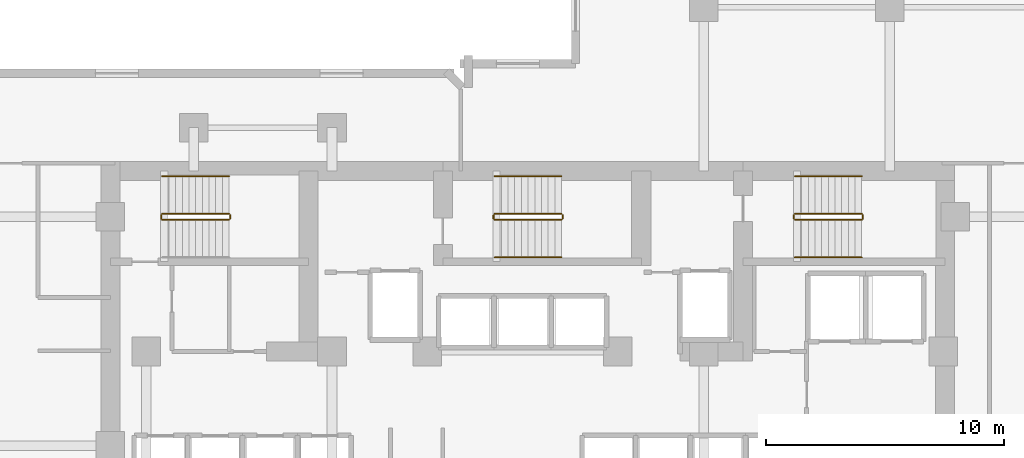
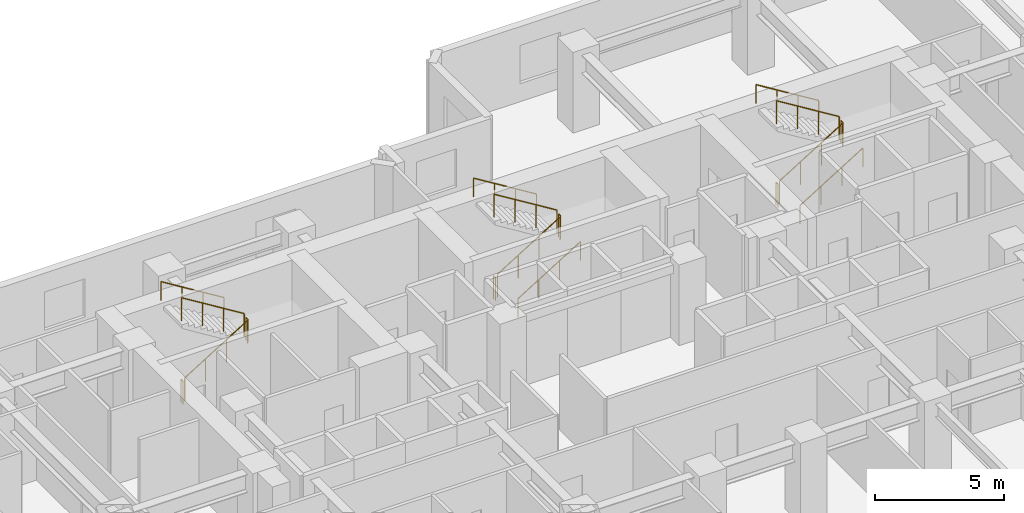
# One storey, part 13 of 13: 17 railings.
"""IFC4 building model written with IfcOpenShell, lengths in metres."""

from ifc_helpers import new_model, si_unit, direction, frame, origin, origin_2d, place, context, subcontext, project, spatial, circle, extrude, material, type_object, element, save


model = new_model("IFC4")

# Units and contexts
model_context = context("Model", 3, precision=1e-05, world=origin(), true_north=direction((0.0, 1.0)))
body_context = subcontext(model_context, "Body", "Model", "MODEL_VIEW")
ifc_project = project(units=[si_unit("LENGTHUNIT", "METRE"), si_unit("AREAUNIT", "SQUARE_METRE"), si_unit("VOLUMEUNIT", "CUBIC_METRE"), si_unit("PLANEANGLEUNIT", "RADIAN"), si_unit("MASSUNIT", "GRAM", prefix="KILO")], contexts=[model_context])

# Site, building, storey
site_placement = place(None, origin())
site = spatial("IfcSite", under=ifc_project, at=site_placement, CompositionType="ELEMENT")
building_placement = place(site_placement, origin())
building = spatial("IfcBuilding", under=site, at=building_placement, Name="Kestravale Grand Hotel", CompositionType="ELEMENT")
storey_placement = place(building_placement, frame((0.0, 0.0, 88.0)))
storey = spatial("IfcBuildingStorey", under=building, at=storey_placement, Name="L21", CompositionType="ELEMENT", Elevation=88.0)

# Railings
ifc_material_1 = material(Name="Painted tubular steel stair well guard", Category="steel")
railing_type_1 = type_object("IfcRailingType", Name="RL-ST-GRD1100", PredefinedType="GUARDRAIL", material=ifc_material_1)
railing_1_placement = place(storey_placement, frame((24.080078125, 38.280029296875, 0.172607421875)))
element("IfcRailing", 1, at=railing_1_placement, inside=storey, type_object=railing_type_1, Name="L21 ST-1 stair guard 1", PredefinedType="GUARDRAIL", context=body_context, shape_type="SweptSolid", body=[
    extrude(circle(Radius=0.02392578125, at=origin_2d()), frame((0.0, 0.0, 1.076171875), z_axis=(0.851069175582, 0.0, 0.525053576669), x_axis=(0.0, 1.0, 0.0)), (0.0, 0.0, 1.0), 3.289794921875),
    extrude(circle(Radius=0.02099609375, at=origin_2d()), origin(), (0.0, 0.0, 1.0), 1.052001953125),
    extrude(circle(Radius=0.02099609375, at=origin_2d()), frame((0.933349609375, 0.0, 0.57568359375)), (0.0, 0.0, 1.0), 1.052001953125),
    extrude(circle(Radius=0.02099609375, at=origin_2d()), frame((1.866455078125, 0.0, 1.151611328125)), (0.0, 0.0, 1.0), 1.052001953125),
    extrude(circle(Radius=0.02099609375, at=origin_2d()), frame((2.7998046875, 0.0, 1.727294921875)), (0.0, 0.0, 1.0), 1.052001953125),
])
railing_2_placement = place(storey_placement, frame((26.929931640625, 38.330078125, 1.89990234375)))
element("IfcRailing", 2, at=railing_2_placement, inside=storey, type_object=railing_type_1, Name="L21 ST-1 stair guard 2", PredefinedType="GUARDRAIL", context=body_context, shape_type="SweptSolid", body=[
    extrude(circle(Radius=0.02392578125, at=origin_2d()), frame((0.0, 0.0, 1.076171875), z_axis=(0.0, 1.0, 0.0), x_axis=(-1.0, 0.0, 0.0)), (0.0, 0.0, 1.0), 0.14990234375),
    extrude(circle(Radius=0.02099609375, at=origin_2d()), origin(), (0.0, 0.0, 1.0), 1.052001953125),
    extrude(circle(Radius=0.02099609375, at=origin_2d()), frame((0.0, 0.14990234375, 0.0)), (0.0, 0.0, 1.0), 1.052001953125),
])
railing_3_placement = place(storey_placement, frame((26.8798828125, 38.530029296875, 2.07275390625)))
element("IfcRailing", 3, at=railing_3_placement, inside=storey, type_object=railing_type_1, Name="L21 ST-1 stair guard 3", PredefinedType="GUARDRAIL", context=body_context, shape_type="SweptSolid", body=[
    extrude(circle(Radius=0.02392578125, at=origin_2d()), frame((0.0, 0.0, 1.076171875), z_axis=(-0.851069175582, 0.0, 0.525053576669), x_axis=(0.0, -1.0, 0.0)), (0.0, 0.0, 1.0), 3.289794921875),
    extrude(circle(Radius=0.02099609375, at=origin_2d()), origin(), (0.0, 0.0, 1.0), 1.052001953125),
    extrude(circle(Radius=0.02099609375, at=origin_2d()), frame((-0.933349609375, 0.0, 0.57568359375)), (0.0, 0.0, 1.0), 1.052001953125),
    extrude(circle(Radius=0.02099609375, at=origin_2d()), frame((-1.866455078125, 0.0, 1.151611328125)), (0.0, 0.0, 1.0), 1.052001953125),
    extrude(circle(Radius=0.02099609375, at=origin_2d()), frame((-2.7998046875, 0.0, 1.727294921875)), (0.0, 0.0, 1.0), 1.052001953125),
])
railing_4_placement = place(storey_placement, frame((24.030029296875, 38.330078125, 0.0)))
element("IfcRailing", 4, at=railing_4_placement, inside=storey, type_object=railing_type_1, Name="L21 ST-1 stair guard 4", PredefinedType="GUARDRAIL", context=body_context, shape_type="SweptSolid", body=[
    extrude(circle(Radius=0.02392578125, at=origin_2d()), frame((0.0, 0.0, 1.076171875), z_axis=(0.0, 1.0, 0.0), x_axis=(-1.0, 0.0, 0.0)), (0.0, 0.0, 1.0), 0.14990234375),
    extrude(circle(Radius=0.02099609375, at=origin_2d()), origin(), (0.0, 0.0, 1.0), 1.052001953125),
    extrude(circle(Radius=0.02099609375, at=origin_2d()), frame((0.0, 0.14990234375, 0.0)), (0.0, 0.0, 1.0), 1.052001953125),
])
railing_5_placement = place(storey_placement, frame((38.030029296875, 38.280029296875, 0.172607421875)))
element("IfcRailing", 5, at=railing_5_placement, inside=storey, type_object=railing_type_1, Name="L21 ST-2 stair guard 1", PredefinedType="GUARDRAIL", context=body_context, shape_type="SweptSolid", body=[
    extrude(circle(Radius=0.02392578125, at=origin_2d()), frame((0.0, 0.0, 1.076171875), z_axis=(0.851089632645, 0.0, 0.525020415988), x_axis=(0.0, 1.0, 0.0)), (0.0, 0.0, 1.0), 3.2900390625),
    extrude(circle(Radius=0.02099609375, at=origin_2d()), origin(), (0.0, 0.0, 1.0), 1.052001953125),
    extrude(circle(Radius=0.02099609375, at=origin_2d()), frame((0.933349609375, 0.0, 0.57568359375)), (0.0, 0.0, 1.0), 1.052001953125),
    extrude(circle(Radius=0.02099609375, at=origin_2d()), frame((1.86669921875, 0.0, 1.151611328125)), (0.0, 0.0, 1.0), 1.052001953125),
    extrude(circle(Radius=0.02099609375, at=origin_2d()), frame((2.800048828125, 0.0, 1.727294921875)), (0.0, 0.0, 1.0), 1.052001953125),
])
railing_6_placement = place(storey_placement, frame((40.8798828125, 38.330078125, 1.89990234375)))
element("IfcRailing", 6, at=railing_6_placement, inside=storey, type_object=railing_type_1, Name="L21 ST-2 stair guard 2", PredefinedType="GUARDRAIL", context=body_context, shape_type="SweptSolid", body=[
    extrude(circle(Radius=0.02392578125, at=origin_2d()), frame((0.0, 0.0, 1.076171875), z_axis=(0.0, 1.0, 0.0), x_axis=(-1.0, 0.0, 0.0)), (0.0, 0.0, 1.0), 0.14990234375),
    extrude(circle(Radius=0.02099609375, at=origin_2d()), origin(), (0.0, 0.0, 1.0), 1.052001953125),
    extrude(circle(Radius=0.02099609375, at=origin_2d()), frame((0.0, 0.14990234375, 0.0)), (0.0, 0.0, 1.0), 1.052001953125),
])
railing_7_placement = place(storey_placement, frame((40.830078125, 38.530029296875, 2.07275390625)))
element("IfcRailing", 7, at=railing_7_placement, inside=storey, type_object=railing_type_1, Name="L21 ST-2 stair guard 3", PredefinedType="GUARDRAIL", context=body_context, shape_type="SweptSolid", body=[
    extrude(circle(Radius=0.02392578125, at=origin_2d()), frame((0.0, 0.0, 1.076171875), z_axis=(-0.851089632645, 0.0, 0.525020415988), x_axis=(0.0, -1.0, 0.0)), (0.0, 0.0, 1.0), 3.2900390625),
    extrude(circle(Radius=0.02099609375, at=origin_2d()), origin(), (0.0, 0.0, 1.0), 1.052001953125),
    extrude(circle(Radius=0.02099609375, at=origin_2d()), frame((-0.933349609375, 0.0, 0.57568359375)), (0.0, 0.0, 1.0), 1.052001953125),
    extrude(circle(Radius=0.02099609375, at=origin_2d()), frame((-1.86669921875, 0.0, 1.151611328125)), (0.0, 0.0, 1.0), 1.052001953125),
    extrude(circle(Radius=0.02099609375, at=origin_2d()), frame((-2.800048828125, 0.0, 1.727294921875)), (0.0, 0.0, 1.0), 1.052001953125),
])
railing_8_placement = place(storey_placement, frame((37.97998046875, 38.330078125, 0.0)))
element("IfcRailing", 8, at=railing_8_placement, inside=storey, type_object=railing_type_1, Name="L21 ST-2 stair guard 4", PredefinedType="GUARDRAIL", context=body_context, shape_type="SweptSolid", body=[
    extrude(circle(Radius=0.02392578125, at=origin_2d()), frame((0.0, 0.0, 1.076171875), z_axis=(0.0, 1.0, 0.0), x_axis=(-1.0, 0.0, 0.0)), (0.0, 0.0, 1.0), 0.14990234375),
    extrude(circle(Radius=0.02099609375, at=origin_2d()), origin(), (0.0, 0.0, 1.0), 1.052001953125),
    extrude(circle(Radius=0.02099609375, at=origin_2d()), frame((0.0, 0.14990234375, 0.0)), (0.0, 0.0, 1.0), 1.052001953125),
])
railing_9_placement = place(storey_placement, frame((50.6298828125, 38.280029296875, 0.172607421875)))
element("IfcRailing", 9, at=railing_9_placement, inside=storey, type_object=railing_type_1, Name="L21 ST-3 stair guard 1", PredefinedType="GUARDRAIL", context=body_context, shape_type="SweptSolid", body=[
    extrude(circle(Radius=0.02392578125, at=origin_2d()), frame((0.0, 0.0, 1.076171875), z_axis=(0.851089632645, 0.0, 0.525020415988), x_axis=(0.0, 1.0, 0.0)), (0.0, 0.0, 1.0), 3.2900390625),
    extrude(circle(Radius=0.02099609375, at=origin_2d()), origin(), (0.0, 0.0, 1.0), 1.052001953125),
    extrude(circle(Radius=0.02099609375, at=origin_2d()), frame((0.933349609375, 0.0, 0.57568359375)), (0.0, 0.0, 1.0), 1.052001953125),
    extrude(circle(Radius=0.02099609375, at=origin_2d()), frame((1.86669921875, 0.0, 1.151611328125)), (0.0, 0.0, 1.0), 1.052001953125),
    extrude(circle(Radius=0.02099609375, at=origin_2d()), frame((2.800048828125, 0.0, 1.727294921875)), (0.0, 0.0, 1.0), 1.052001953125),
])
railing_10_placement = place(storey_placement, frame((53.47998046875, 38.330078125, 1.89990234375)))
element("IfcRailing", 10, at=railing_10_placement, inside=storey, type_object=railing_type_1, Name="L21 ST-3 stair guard 2", PredefinedType="GUARDRAIL", context=body_context, shape_type="SweptSolid", body=[
    extrude(circle(Radius=0.02392578125, at=origin_2d()), frame((0.0, 0.0, 1.076171875), z_axis=(0.0, 1.0, 0.0), x_axis=(-1.0, 0.0, 0.0)), (0.0, 0.0, 1.0), 0.14990234375),
    extrude(circle(Radius=0.02099609375, at=origin_2d()), origin(), (0.0, 0.0, 1.0), 1.052001953125),
    extrude(circle(Radius=0.02099609375, at=origin_2d()), frame((0.0, 0.14990234375, 0.0)), (0.0, 0.0, 1.0), 1.052001953125),
])
railing_11_placement = place(storey_placement, frame((53.429931640625, 38.530029296875, 2.07275390625)))
element("IfcRailing", 11, at=railing_11_placement, inside=storey, type_object=railing_type_1, Name="L21 ST-3 stair guard 3", PredefinedType="GUARDRAIL", context=body_context, shape_type="SweptSolid", body=[
    extrude(circle(Radius=0.02392578125, at=origin_2d()), frame((0.0, 0.0, 1.076171875), z_axis=(-0.851089632645, 0.0, 0.525020415988), x_axis=(0.0, -1.0, 0.0)), (0.0, 0.0, 1.0), 3.2900390625),
    extrude(circle(Radius=0.02099609375, at=origin_2d()), origin(), (0.0, 0.0, 1.0), 1.052001953125),
    extrude(circle(Radius=0.02099609375, at=origin_2d()), frame((-0.933349609375, 0.0, 0.57568359375)), (0.0, 0.0, 1.0), 1.052001953125),
    extrude(circle(Radius=0.02099609375, at=origin_2d()), frame((-1.86669921875, 0.0, 1.151611328125)), (0.0, 0.0, 1.0), 1.052001953125),
    extrude(circle(Radius=0.02099609375, at=origin_2d()), frame((-2.800048828125, 0.0, 1.727294921875)), (0.0, 0.0, 1.0), 1.052001953125),
])
railing_12_placement = place(storey_placement, frame((50.580078125, 38.330078125, 0.0)))
element("IfcRailing", 12, at=railing_12_placement, inside=storey, type_object=railing_type_1, Name="L21 ST-3 stair guard 4", PredefinedType="GUARDRAIL", context=body_context, shape_type="SweptSolid", body=[
    extrude(circle(Radius=0.02392578125, at=origin_2d()), frame((0.0, 0.0, 1.076171875), z_axis=(0.0, 1.0, 0.0), x_axis=(-1.0, 0.0, 0.0)), (0.0, 0.0, 1.0), 0.14990234375),
    extrude(circle(Radius=0.02099609375, at=origin_2d()), origin(), (0.0, 0.0, 1.0), 1.052001953125),
    extrude(circle(Radius=0.02099609375, at=origin_2d()), frame((0.0, 0.14990234375, 0.0)), (0.0, 0.0, 1.0), 1.052001953125),
])
ifc_material_2 = material(Name="Brushed stainless steel wall handrail", Category="steel")
railing_type_2 = type_object("IfcRailingType", Name="RL-ST-HND900", PredefinedType="HANDRAIL", material=ifc_material_2)
railing_13_placement = place(storey_placement, frame((26.8798828125, 40.110107421875, 2.07275390625)))
element("IfcRailing", 13, at=railing_13_placement, inside=storey, type_object=railing_type_2, Name="L21 ST-1 stair handrail 2", PredefinedType="HANDRAIL", context=body_context, shape_type="SweptSolid", body=[
    extrude(circle(Radius=0.02392578125, at=origin_2d()), frame((0.0, 0.0, 0.8759765625), z_axis=(-0.851069175582, 0.0, 0.525053576669), x_axis=(0.0, -1.0, 0.0)), (0.0, 0.0, 1.0), 3.289794921875),
    extrude(circle(Radius=0.02099609375, at=origin_2d()), origin(), (0.0, 0.0, 1.0), 0.851806640625),
    extrude(circle(Radius=0.02099609375, at=origin_2d()), frame((-0.933349609375, 0.0, 0.57568359375)), (0.0, 0.0, 1.0), 0.851806640625),
    extrude(circle(Radius=0.02099609375, at=origin_2d()), frame((-1.866455078125, 0.0, 1.151611328125)), (0.0, 0.0, 1.0), 0.851806640625),
    extrude(circle(Radius=0.02099609375, at=origin_2d()), frame((-2.7998046875, 0.0, 1.727294921875)), (0.0, 0.0, 1.0), 0.851806640625),
])
railing_14_placement = place(storey_placement, frame((38.030029296875, 36.699951171875, 0.172607421875)))
element("IfcRailing", 14, at=railing_14_placement, inside=storey, type_object=railing_type_2, Name="L21 ST-2 stair handrail 1", PredefinedType="HANDRAIL", context=body_context, shape_type="SweptSolid", body=[
    extrude(circle(Radius=0.02392578125, at=origin_2d()), frame((0.0, 0.0, 0.8759765625), z_axis=(0.851089632645, 0.0, 0.525020415988), x_axis=(0.0, 1.0, 0.0)), (0.0, 0.0, 1.0), 3.2900390625),
    extrude(circle(Radius=0.02099609375, at=origin_2d()), origin(), (0.0, 0.0, 1.0), 0.851806640625),
    extrude(circle(Radius=0.02099609375, at=origin_2d()), frame((0.933349609375, 0.0, 0.57568359375)), (0.0, 0.0, 1.0), 0.851806640625),
    extrude(circle(Radius=0.02099609375, at=origin_2d()), frame((1.86669921875, 0.0, 1.151611328125)), (0.0, 0.0, 1.0), 0.851806640625),
    extrude(circle(Radius=0.02099609375, at=origin_2d()), frame((2.800048828125, 0.0, 1.727294921875)), (0.0, 0.0, 1.0), 0.851806640625),
])
railing_15_placement = place(storey_placement, frame((40.830078125, 40.110107421875, 2.07275390625)))
element("IfcRailing", 15, at=railing_15_placement, inside=storey, type_object=railing_type_2, Name="L21 ST-2 stair handrail 2", PredefinedType="HANDRAIL", context=body_context, shape_type="SweptSolid", body=[
    extrude(circle(Radius=0.02392578125, at=origin_2d()), frame((0.0, 0.0, 0.8759765625), z_axis=(-0.851089632645, 0.0, 0.525020415988), x_axis=(0.0, -1.0, 0.0)), (0.0, 0.0, 1.0), 3.2900390625),
    extrude(circle(Radius=0.02099609375, at=origin_2d()), origin(), (0.0, 0.0, 1.0), 0.851806640625),
    extrude(circle(Radius=0.02099609375, at=origin_2d()), frame((-0.933349609375, 0.0, 0.57568359375)), (0.0, 0.0, 1.0), 0.851806640625),
    extrude(circle(Radius=0.02099609375, at=origin_2d()), frame((-1.86669921875, 0.0, 1.151611328125)), (0.0, 0.0, 1.0), 0.851806640625),
    extrude(circle(Radius=0.02099609375, at=origin_2d()), frame((-2.800048828125, 0.0, 1.727294921875)), (0.0, 0.0, 1.0), 0.851806640625),
])
railing_16_placement = place(storey_placement, frame((50.6298828125, 36.699951171875, 0.172607421875)))
element("IfcRailing", 16, at=railing_16_placement, inside=storey, type_object=railing_type_2, Name="L21 ST-3 stair handrail 1", PredefinedType="HANDRAIL", context=body_context, shape_type="SweptSolid", body=[
    extrude(circle(Radius=0.02392578125, at=origin_2d()), frame((0.0, 0.0, 0.8759765625), z_axis=(0.851089632645, 0.0, 0.525020415988), x_axis=(0.0, 1.0, 0.0)), (0.0, 0.0, 1.0), 3.2900390625),
    extrude(circle(Radius=0.02099609375, at=origin_2d()), origin(), (0.0, 0.0, 1.0), 0.851806640625),
    extrude(circle(Radius=0.02099609375, at=origin_2d()), frame((0.933349609375, 0.0, 0.57568359375)), (0.0, 0.0, 1.0), 0.851806640625),
    extrude(circle(Radius=0.02099609375, at=origin_2d()), frame((1.86669921875, 0.0, 1.151611328125)), (0.0, 0.0, 1.0), 0.851806640625),
    extrude(circle(Radius=0.02099609375, at=origin_2d()), frame((2.800048828125, 0.0, 1.727294921875)), (0.0, 0.0, 1.0), 0.851806640625),
])
railing_17_placement = place(storey_placement, frame((53.429931640625, 40.110107421875, 2.07275390625)))
element("IfcRailing", 17, at=railing_17_placement, inside=storey, type_object=railing_type_2, Name="L21 ST-3 stair handrail 2", PredefinedType="HANDRAIL", context=body_context, shape_type="SweptSolid", body=[
    extrude(circle(Radius=0.02392578125, at=origin_2d()), frame((0.0, 0.0, 0.8759765625), z_axis=(-0.851089632645, 0.0, 0.525020415988), x_axis=(0.0, -1.0, 0.0)), (0.0, 0.0, 1.0), 3.2900390625),
    extrude(circle(Radius=0.02099609375, at=origin_2d()), origin(), (0.0, 0.0, 1.0), 0.851806640625),
    extrude(circle(Radius=0.02099609375, at=origin_2d()), frame((-0.933349609375, 0.0, 0.57568359375)), (0.0, 0.0, 1.0), 0.851806640625),
    extrude(circle(Radius=0.02099609375, at=origin_2d()), frame((-1.86669921875, 0.0, 1.151611328125)), (0.0, 0.0, 1.0), 0.851806640625),
    extrude(circle(Radius=0.02099609375, at=origin_2d()), frame((-2.800048828125, 0.0, 1.727294921875)), (0.0, 0.0, 1.0), 0.851806640625),
])

save(model, "model.ifc")
